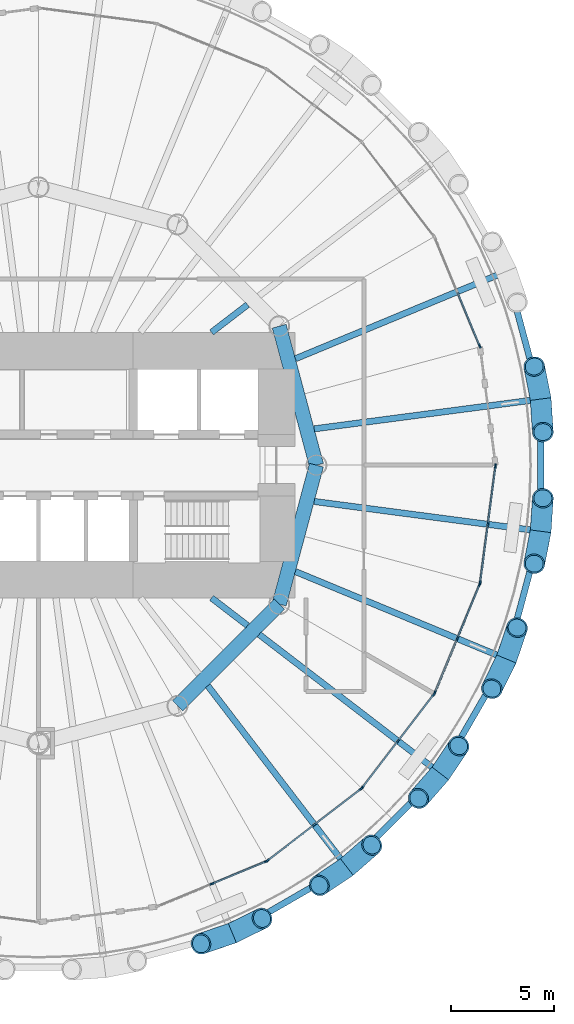
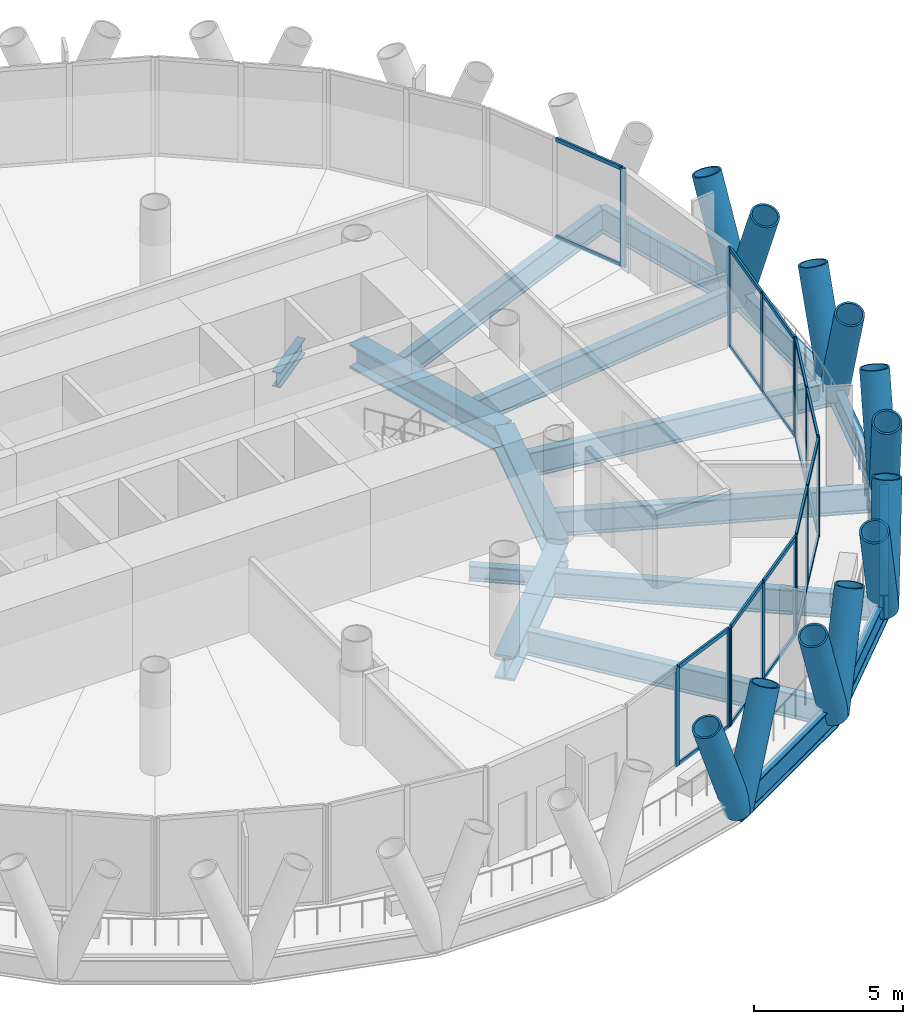
# One storey, part 4 of 14: 47 members, 17 beams, 6 elements without a shape of their own.
"""IFC4 building model written with IfcOpenShell, lengths in metres."""

from ifc_helpers import new_model, si_unit, direction, frame, origin, origin_2d, place, context, subcontext, project, spatial, rectangle, hollow_circle, i_section, extrude, material, material_profile, profile_set, type_object, element, aggregate, save


model = new_model("IFC4")

# Units and contexts
model_context = context("Model", 3, precision=1e-05, world=origin(), true_north=direction((0.0, 1.0)))
body_context = subcontext(model_context, "Body", "Model", "MODEL_VIEW")
ifc_project = project(units=[si_unit("LENGTHUNIT", "METRE"), si_unit("AREAUNIT", "SQUARE_METRE"), si_unit("VOLUMEUNIT", "CUBIC_METRE"), si_unit("PLANEANGLEUNIT", "RADIAN"), si_unit("MASSUNIT", "GRAM", prefix="KILO")], contexts=[model_context])

# Site, building, storey
site_placement = place(None, origin())
site = spatial("IfcSite", under=ifc_project, at=site_placement, CompositionType="ELEMENT")
building_placement = place(site_placement, origin())
building = spatial("IfcBuilding", under=site, at=building_placement, Name="Qaws Media Tower", CompositionType="ELEMENT")
storey_placement = place(building_placement, frame((0.0, 0.0, 168.800048828125)))
storey = spatial("IfcBuildingStorey", under=building, at=storey_placement, Name="L38", CompositionType="ELEMENT", Elevation=168.800048828125)

# Curtain wall, member
ifc_material_1 = material(Name="Aluminium and clear glass", Category="aluminium")
curtain_wall_type = type_object("IfcCurtainWallType", Name="Unitised curtain wall CW-B", PredefinedType="NOTDEFINED", material=ifc_material_1)
curtain_wall_1_placement = place(storey_placement, origin())
curtain_wall_1 = element("IfcCurtainWall", 1, at=curtain_wall_1_placement, inside=storey, type_object=curtain_wall_type, Name="CWB curtain wall L38-02", PredefinedType="NOTDEFINED")
ifc_material_2 = material(Name="Aluminium mullion", Category="aluminium")
ifc_material_profile_1 = material_profile(ifc_material_2, rectangle(XDim=0.080078125, YDim=0.199951171875, at=origin_2d()), Name="80x200")
ifc_profile_set_1 = profile_set([ifc_material_profile_1], Name="Aluminium mullion")
member_type_1 = type_object("IfcMemberType", Name="Curtain wall mullion 80x200", PredefinedType="MULLION", material=ifc_profile_set_1)
member_1_placement = place(storey_placement, frame((81.42822265625, 55.78271484375, 0.0), z_axis=(0.0, 0.0, 1.0), x_axis=(-0.923879550645, -0.382683388586, 0.0)))
member_1 = element("IfcMember", 2, at=member_1_placement, type_object=member_type_1, Name="CWB mullion 1", PredefinedType="MULLION", context=body_context, shape_type="SweptSolid", body=[
    extrude(rectangle(XDim=0.080078125, YDim=0.199951171875, at=origin_2d()), origin(), (0.0, 0.0, 1.0), 4.0400390625),
])

# Curtain wall, members
curtain_wall_2_placement = place(storey_placement, origin())
curtain_wall_2 = element("IfcCurtainWall", 3, at=curtain_wall_2_placement, inside=storey, type_object=curtain_wall_type, Name="CWB curtain wall L38-20", PredefinedType="NOTDEFINED")
member_2_placement = place(storey_placement, frame((68.4228515625, 29.665283203125, 0.0), z_axis=(0.0, 0.0, 1.0), x_axis=(-0.382683388586, 0.923879550645, 0.0)))
member_2 = element("IfcMember", 4, at=member_2_placement, type_object=member_type_1, Name="CWB mullion 2", PredefinedType="MULLION", context=body_context, shape_type="SweptSolid", body=[
    extrude(rectangle(XDim=0.080078125, YDim=0.199951171875, at=origin_2d()), origin(), (0.0, 0.0, 1.0), 4.0400390625),
])
member_3_placement = place(storey_placement, frame((71.06298828125, 30.759033203125, 0.0), z_axis=(0.0, 0.0, 1.0), x_axis=(-0.382683388586, 0.923879550645, 0.0)))
member_3 = element("IfcMember", 5, at=member_3_placement, type_object=member_type_1, Name="CWB mullion 3", PredefinedType="MULLION", context=body_context, shape_type="SweptSolid", body=[
    extrude(rectangle(XDim=0.080078125, YDim=0.199951171875, at=origin_2d()), origin(), (0.0, 0.0, 1.0), 4.0400390625),
])

curtain_wall_3_placement = place(storey_placement, origin())
curtain_wall_3 = element("IfcCurtainWall", 6, at=curtain_wall_3_placement, inside=storey, type_object=curtain_wall_type, Name="CWB curtain wall L38-21", PredefinedType="NOTDEFINED")
member_4_placement = place(storey_placement, frame((71.1318359375, 30.798583984375, 0.0), z_axis=(0.0, 0.0, 1.0), x_axis=(-0.60876134507, 0.793353404699, 0.0)))
member_4 = element("IfcMember", 7, at=member_4_placement, type_object=member_type_1, Name="CWB mullion 1", PredefinedType="MULLION", context=body_context, shape_type="SweptSolid", body=[
    extrude(rectangle(XDim=0.080078125, YDim=0.199951171875, at=origin_2d()), origin(), (0.0, 0.0, 1.0), 4.0400390625),
])
member_5_placement = place(storey_placement, frame((73.39892578125, 32.538330078125, 0.0), z_axis=(0.0, 0.0, 1.0), x_axis=(-0.60876134507, 0.793353404699, 0.0)))
member_5 = element("IfcMember", 8, at=member_5_placement, type_object=member_type_1, Name="CWB mullion 2", PredefinedType="MULLION", context=body_context, shape_type="SweptSolid", body=[
    extrude(rectangle(XDim=0.080078125, YDim=0.199951171875, at=origin_2d()), origin(), (0.0, 0.0, 1.0), 4.0400390625),
])
member_6_placement = place(storey_placement, frame((75.666015625, 34.27783203125, 0.0), z_axis=(0.0, 0.0, 1.0), x_axis=(-0.60876134507, 0.793353404699, 0.0)))
member_6 = element("IfcMember", 9, at=member_6_placement, type_object=member_type_1, Name="CWB mullion 3", PredefinedType="MULLION", context=body_context, shape_type="SweptSolid", body=[
    extrude(rectangle(XDim=0.080078125, YDim=0.199951171875, at=origin_2d()), origin(), (0.0, 0.0, 1.0), 4.0400390625),
])

curtain_wall_4_placement = place(storey_placement, origin())
curtain_wall_4 = element("IfcCurtainWall", 10, at=curtain_wall_4_placement, inside=storey, type_object=curtain_wall_type, Name="CWB curtain wall L38-22", PredefinedType="NOTDEFINED")
member_7_placement = place(storey_placement, frame((75.72216796875, 34.333984375, 0.0), z_axis=(0.0, 0.0, 1.0), x_axis=(-0.793353404699, 0.60876134507, 0.0)))
member_7 = element("IfcMember", 11, at=member_7_placement, type_object=member_type_1, Name="CWB mullion 1", PredefinedType="MULLION", context=body_context, shape_type="SweptSolid", body=[
    extrude(rectangle(XDim=0.080078125, YDim=0.199951171875, at=origin_2d()), origin(), (0.0, 0.0, 1.0), 4.0400390625),
])
member_8_placement = place(storey_placement, frame((77.461669921875, 36.60107421875, 0.0), z_axis=(0.0, 0.0, 1.0), x_axis=(-0.793353404699, 0.60876134507, 0.0)))
member_8 = element("IfcMember", 12, at=member_8_placement, type_object=member_type_1, Name="CWB mullion 2", PredefinedType="MULLION", context=body_context, shape_type="SweptSolid", body=[
    extrude(rectangle(XDim=0.080078125, YDim=0.199951171875, at=origin_2d()), origin(), (0.0, 0.0, 1.0), 4.0400390625),
])
member_9_placement = place(storey_placement, frame((79.201416015625, 38.8681640625, 0.0), z_axis=(0.0, 0.0, 1.0), x_axis=(-0.793353404699, 0.60876134507, 0.0)))
member_9 = element("IfcMember", 13, at=member_9_placement, type_object=member_type_1, Name="CWB mullion 3", PredefinedType="MULLION", context=body_context, shape_type="SweptSolid", body=[
    extrude(rectangle(XDim=0.080078125, YDim=0.199951171875, at=origin_2d()), origin(), (0.0, 0.0, 1.0), 4.0400390625),
])

curtain_wall_5_placement = place(storey_placement, origin())
curtain_wall_5 = element("IfcCurtainWall", 14, at=curtain_wall_5_placement, inside=storey, type_object=curtain_wall_type, Name="CWB curtain wall L38-23", PredefinedType="NOTDEFINED")
member_10_placement = place(storey_placement, frame((79.240966796875, 38.93701171875, 0.0), z_axis=(0.0, 0.0, 1.0), x_axis=(-0.923879550645, 0.382683388586, 0.0)))
member_10 = element("IfcMember", 15, at=member_10_placement, type_object=member_type_1, Name="CWB mullion 1", PredefinedType="MULLION", context=body_context, shape_type="SweptSolid", body=[
    extrude(rectangle(XDim=0.080078125, YDim=0.199951171875, at=origin_2d()), origin(), (0.0, 0.0, 1.0), 4.0400390625),
])
member_11_placement = place(storey_placement, frame((80.334716796875, 41.5771484375, 0.0), z_axis=(0.0, 0.0, 1.0), x_axis=(-0.923879550645, 0.382683388586, 0.0)))
member_11 = element("IfcMember", 16, at=member_11_placement, type_object=member_type_1, Name="CWB mullion 2", PredefinedType="MULLION", context=body_context, shape_type="SweptSolid", body=[
    extrude(rectangle(XDim=0.080078125, YDim=0.199951171875, at=origin_2d()), origin(), (0.0, 0.0, 1.0), 4.0400390625),
])
member_12_placement = place(storey_placement, frame((81.42822265625, 44.21728515625, 0.0), z_axis=(0.0, 0.0, 1.0), x_axis=(-0.923879550645, 0.382683388586, 0.0)))
member_12 = element("IfcMember", 17, at=member_12_placement, type_object=member_type_1, Name="CWB mullion 3", PredefinedType="MULLION", context=body_context, shape_type="SweptSolid", body=[
    extrude(rectangle(XDim=0.080078125, YDim=0.199951171875, at=origin_2d()), origin(), (0.0, 0.0, 1.0), 4.0400390625),
])

curtain_wall_6_placement = place(storey_placement, origin())
curtain_wall_6 = element("IfcCurtainWall", 18, at=curtain_wall_6_placement, inside=storey, type_object=curtain_wall_type, Name="CWB curtain wall L38-24", PredefinedType="NOTDEFINED")
member_13_placement = place(storey_placement, frame((81.44873046875, 44.2939453125, 0.0), z_axis=(0.0, 0.0, 1.0), x_axis=(-0.991444854284, 0.13052624607, 0.0)))
member_13 = element("IfcMember", 19, at=member_13_placement, type_object=member_type_1, Name="CWB mullion 1", PredefinedType="MULLION", context=body_context, shape_type="SweptSolid", body=[
    extrude(rectangle(XDim=0.080078125, YDim=0.199951171875, at=origin_2d()), origin(), (0.0, 0.0, 1.0), 4.0400390625),
])
member_14_placement = place(storey_placement, frame((81.82177734375, 47.127197265625, 0.0), z_axis=(0.0, 0.0, 1.0), x_axis=(-0.991444854284, 0.13052624607, 0.0)))
member_14 = element("IfcMember", 20, at=member_14_placement, type_object=member_type_1, Name="CWB mullion 2", PredefinedType="MULLION", context=body_context, shape_type="SweptSolid", body=[
    extrude(rectangle(XDim=0.080078125, YDim=0.199951171875, at=origin_2d()), origin(), (0.0, 0.0, 1.0), 4.0400390625),
])
member_15_placement = place(storey_placement, frame((82.19482421875, 49.96044921875, 0.0), z_axis=(0.0, 0.0, 1.0), x_axis=(-0.991444854284, 0.13052624607, 0.0)))
member_15 = element("IfcMember", 21, at=member_15_placement, type_object=member_type_1, Name="CWB mullion 3", PredefinedType="MULLION", context=body_context, shape_type="SweptSolid", body=[
    extrude(rectangle(XDim=0.080078125, YDim=0.199951171875, at=origin_2d()), origin(), (0.0, 0.0, 1.0), 4.0400390625),
])

# Member
ifc_material_3 = material(Name="Aluminium transom", Category="aluminium")
ifc_material_profile_2 = material_profile(ifc_material_3, rectangle(XDim=0.080078125, YDim=0.159912109375, at=origin_2d()), Name="80x160")
ifc_profile_set_2 = profile_set([ifc_material_profile_2], Name="Aluminium transom")
member_type_2 = type_object("IfcMemberType", Name="Curtain wall transom 80x160", PredefinedType="USERDEFINED", material=ifc_profile_set_2)
member_16_placement = place(storey_placement, frame((81.412841796875, 55.819580078125, 0.0400390625), z_axis=(-0.382667455962, 0.923886149992, 0.0), x_axis=(-0.923886149992, -0.382667455962, 0.0)))
member_16 = element("IfcMember", 22, at=member_16_placement, type_object=member_type_2, Name="CWB transom 1.1", ObjectType="TRANSOM", PredefinedType="USERDEFINED", context=body_context, shape_type="SweptSolid", body=[
    extrude(rectangle(XDim=0.080078125, YDim=0.159912109375, at=origin_2d()), origin(), (0.0, 0.0, 1.0), 2.77783203125),
])

member_17_placement = place(storey_placement, frame((81.412841796875, 55.819580078125, 4.0), z_axis=(-0.382667455962, 0.923886149992, 0.0), x_axis=(-0.923886149992, -0.382667455962, 0.0)))
member_17 = element("IfcMember", 23, at=member_17_placement, type_object=member_type_2, Name="CWB transom 1.2", ObjectType="TRANSOM", PredefinedType="USERDEFINED", context=body_context, shape_type="SweptSolid", body=[
    extrude(rectangle(XDim=0.080078125, YDim=0.159912109375, at=origin_2d()), origin(), (0.0, 0.0, 1.0), 2.77783203125),
])

aggregate(curtain_wall_1, [member_1, member_16, member_17])

member_18_placement = place(storey_placement, frame((68.4599609375, 29.6806640625, 0.0400390625), z_axis=(0.923873278495, 0.382698530546, 0.0), x_axis=(-0.382698530546, 0.923873278495, 0.0)))
member_18 = element("IfcMember", 24, at=member_18_placement, type_object=member_type_2, Name="CWB transom 2.1", ObjectType="TRANSOM", PredefinedType="USERDEFINED", context=body_context, shape_type="SweptSolid", body=[
    extrude(rectangle(XDim=0.080078125, YDim=0.159912109375, at=origin_2d()), origin(), (0.0, 0.0, 1.0), 2.777587890625),
])

member_19_placement = place(storey_placement, frame((68.4599609375, 29.6806640625, 4.0), z_axis=(0.923873278495, 0.382698530546, 0.0), x_axis=(-0.382698530546, 0.923873278495, 0.0)))
member_19 = element("IfcMember", 25, at=member_19_placement, type_object=member_type_2, Name="CWB transom 2.2", ObjectType="TRANSOM", PredefinedType="USERDEFINED", context=body_context, shape_type="SweptSolid", body=[
    extrude(rectangle(XDim=0.080078125, YDim=0.159912109375, at=origin_2d()), origin(), (0.0, 0.0, 1.0), 2.777587890625),
])

aggregate(curtain_wall_2, [member_2, member_3, member_18, member_19])

member_20_placement = place(storey_placement, frame((71.16357421875, 30.822998046875, 0.0400390625), z_axis=(0.793348814772, 0.608767326735, 0.0), x_axis=(-0.608767326735, 0.793348814772, 0.0)))
member_20 = element("IfcMember", 26, at=member_20_placement, type_object=member_type_2, Name="CWB transom 1.1", ObjectType="TRANSOM", PredefinedType="USERDEFINED", context=body_context, shape_type="SweptSolid", body=[
    extrude(rectangle(XDim=0.080078125, YDim=0.159912109375, at=origin_2d()), origin(), (0.0, 0.0, 1.0), 2.777587890625),
])

member_21_placement = place(storey_placement, frame((71.16357421875, 30.822998046875, 4.0), z_axis=(0.793348814772, 0.608767326735, 0.0), x_axis=(-0.608767326735, 0.793348814772, 0.0)))
member_21 = element("IfcMember", 27, at=member_21_placement, type_object=member_type_2, Name="CWB transom 1.2", ObjectType="TRANSOM", PredefinedType="USERDEFINED", context=body_context, shape_type="SweptSolid", body=[
    extrude(rectangle(XDim=0.080078125, YDim=0.159912109375, at=origin_2d()), origin(), (0.0, 0.0, 1.0), 2.777587890625),
])

member_22_placement = place(storey_placement, frame((73.4306640625, 32.5625, 0.0400390625), z_axis=(0.793348814772, 0.608767326735, 0.0), x_axis=(-0.608767326735, 0.793348814772, 0.0)))
member_22 = element("IfcMember", 28, at=member_22_placement, type_object=member_type_2, Name="CWB transom 2.1", ObjectType="TRANSOM", PredefinedType="USERDEFINED", context=body_context, shape_type="SweptSolid", body=[
    extrude(rectangle(XDim=0.080078125, YDim=0.159912109375, at=origin_2d()), origin(), (0.0, 0.0, 1.0), 2.777587890625),
])

member_23_placement = place(storey_placement, frame((73.4306640625, 32.5625, 4.0), z_axis=(0.793348814772, 0.608767326735, 0.0), x_axis=(-0.608767326735, 0.793348814772, 0.0)))
member_23 = element("IfcMember", 29, at=member_23_placement, type_object=member_type_2, Name="CWB transom 2.2", ObjectType="TRANSOM", PredefinedType="USERDEFINED", context=body_context, shape_type="SweptSolid", body=[
    extrude(rectangle(XDim=0.080078125, YDim=0.159912109375, at=origin_2d()), origin(), (0.0, 0.0, 1.0), 2.777587890625),
])

aggregate(curtain_wall_3, [member_4, member_5, member_6, member_20, member_21, member_22, member_23])

member_24_placement = place(storey_placement, frame((75.74658203125, 34.36572265625, 0.0400390625), z_axis=(0.608767326735, 0.793348814772, 0.0), x_axis=(-0.793348814772, 0.608767326735, 0.0)))
member_24 = element("IfcMember", 30, at=member_24_placement, type_object=member_type_2, Name="CWB transom 1.1", ObjectType="TRANSOM", PredefinedType="USERDEFINED", context=body_context, shape_type="SweptSolid", body=[
    extrude(rectangle(XDim=0.080078125, YDim=0.159912109375, at=origin_2d()), origin(), (0.0, 0.0, 1.0), 2.777587890625),
])

member_25_placement = place(storey_placement, frame((75.74658203125, 34.36572265625, 4.0), z_axis=(0.608767326735, 0.793348814772, 0.0), x_axis=(-0.793348814772, 0.608767326735, 0.0)))
member_25 = element("IfcMember", 31, at=member_25_placement, type_object=member_type_2, Name="CWB transom 1.2", ObjectType="TRANSOM", PredefinedType="USERDEFINED", context=body_context, shape_type="SweptSolid", body=[
    extrude(rectangle(XDim=0.080078125, YDim=0.159912109375, at=origin_2d()), origin(), (0.0, 0.0, 1.0), 2.777587890625),
])

member_26_placement = place(storey_placement, frame((77.486083984375, 36.6328125, 0.0400390625), z_axis=(0.608767326735, 0.793348814772, 0.0), x_axis=(-0.793348814772, 0.608767326735, 0.0)))
member_26 = element("IfcMember", 32, at=member_26_placement, type_object=member_type_2, Name="CWB transom 2.1", ObjectType="TRANSOM", PredefinedType="USERDEFINED", context=body_context, shape_type="SweptSolid", body=[
    extrude(rectangle(XDim=0.080078125, YDim=0.159912109375, at=origin_2d()), origin(), (0.0, 0.0, 1.0), 2.777587890625),
])

member_27_placement = place(storey_placement, frame((77.486083984375, 36.6328125, 4.0), z_axis=(0.608767326735, 0.793348814772, 0.0), x_axis=(-0.793348814772, 0.608767326735, 0.0)))
member_27 = element("IfcMember", 33, at=member_27_placement, type_object=member_type_2, Name="CWB transom 2.2", ObjectType="TRANSOM", PredefinedType="USERDEFINED", context=body_context, shape_type="SweptSolid", body=[
    extrude(rectangle(XDim=0.080078125, YDim=0.159912109375, at=origin_2d()), origin(), (0.0, 0.0, 1.0), 2.777587890625),
])

aggregate(curtain_wall_4, [member_7, member_8, member_9, member_24, member_25, member_26, member_27])

member_28_placement = place(storey_placement, frame((79.25634765625, 38.973876953125, 0.0400390625), z_axis=(0.382698530546, 0.923873278495, 0.0), x_axis=(-0.923873278495, 0.382698530546, 0.0)))
member_28 = element("IfcMember", 34, at=member_28_placement, type_object=member_type_2, Name="CWB transom 1.1", ObjectType="TRANSOM", PredefinedType="USERDEFINED", context=body_context, shape_type="SweptSolid", body=[
    extrude(rectangle(XDim=0.080078125, YDim=0.159912109375, at=origin_2d()), origin(), (0.0, 0.0, 1.0), 2.777587890625),
])

member_29_placement = place(storey_placement, frame((79.25634765625, 38.973876953125, 4.0), z_axis=(0.382698530546, 0.923873278495, 0.0), x_axis=(-0.923873278495, 0.382698530546, 0.0)))
member_29 = element("IfcMember", 35, at=member_29_placement, type_object=member_type_2, Name="CWB transom 1.2", ObjectType="TRANSOM", PredefinedType="USERDEFINED", context=body_context, shape_type="SweptSolid", body=[
    extrude(rectangle(XDim=0.080078125, YDim=0.159912109375, at=origin_2d()), origin(), (0.0, 0.0, 1.0), 2.777587890625),
])

member_30_placement = place(storey_placement, frame((80.349853515625, 41.614013671875, 0.0400390625), z_axis=(0.382667455962, 0.923886149992, 0.0), x_axis=(-0.923886149992, 0.382667455962, 0.0)))
member_30 = element("IfcMember", 36, at=member_30_placement, type_object=member_type_2, Name="CWB transom 2.1", ObjectType="TRANSOM", PredefinedType="USERDEFINED", context=body_context, shape_type="SweptSolid", body=[
    extrude(rectangle(XDim=0.080078125, YDim=0.159912109375, at=origin_2d()), origin(), (0.0, 0.0, 1.0), 2.77783203125),
])

member_31_placement = place(storey_placement, frame((80.349853515625, 41.614013671875, 4.0), z_axis=(0.382667455962, 0.923886149992, 0.0), x_axis=(-0.923886149992, 0.382667455962, 0.0)))
member_31 = element("IfcMember", 37, at=member_31_placement, type_object=member_type_2, Name="CWB transom 2.2", ObjectType="TRANSOM", PredefinedType="USERDEFINED", context=body_context, shape_type="SweptSolid", body=[
    extrude(rectangle(XDim=0.080078125, YDim=0.159912109375, at=origin_2d()), origin(), (0.0, 0.0, 1.0), 2.77783203125),
])

aggregate(curtain_wall_5, [member_10, member_11, member_12, member_28, member_29, member_30, member_31])

member_32_placement = place(storey_placement, frame((81.4541015625, 44.33349609375, 0.0400390625), z_axis=(0.130522721426, 0.991445318306, 0.0), x_axis=(-0.991445318306, 0.130522721426, 0.0)))
member_32 = element("IfcMember", 38, at=member_32_placement, type_object=member_type_2, Name="CWB transom 1.1", ObjectType="TRANSOM", PredefinedType="USERDEFINED", context=body_context, shape_type="SweptSolid", body=[
    extrude(rectangle(XDim=0.080078125, YDim=0.159912109375, at=origin_2d()), origin(), (0.0, 0.0, 1.0), 2.777587890625),
])

member_33_placement = place(storey_placement, frame((81.4541015625, 44.33349609375, 4.0), z_axis=(0.130522721426, 0.991445318306, 0.0), x_axis=(-0.991445318306, 0.130522721426, 0.0)))
member_33 = element("IfcMember", 39, at=member_33_placement, type_object=member_type_2, Name="CWB transom 1.2", ObjectType="TRANSOM", PredefinedType="USERDEFINED", context=body_context, shape_type="SweptSolid", body=[
    extrude(rectangle(XDim=0.080078125, YDim=0.159912109375, at=origin_2d()), origin(), (0.0, 0.0, 1.0), 2.777587890625),
])

member_34_placement = place(storey_placement, frame((81.826904296875, 47.166748046875, 0.0400390625), z_axis=(0.130522721426, 0.991445318306, 0.0), x_axis=(-0.991445318306, 0.130522721426, 0.0)))
member_34 = element("IfcMember", 40, at=member_34_placement, type_object=member_type_2, Name="CWB transom 2.1", ObjectType="TRANSOM", PredefinedType="USERDEFINED", context=body_context, shape_type="SweptSolid", body=[
    extrude(rectangle(XDim=0.080078125, YDim=0.159912109375, at=origin_2d()), origin(), (0.0, 0.0, 1.0), 2.777587890625),
])

member_35_placement = place(storey_placement, frame((81.826904296875, 47.166748046875, 4.0), z_axis=(0.130522721426, 0.991445318306, 0.0), x_axis=(-0.991445318306, 0.130522721426, 0.0)))
member_35 = element("IfcMember", 41, at=member_35_placement, type_object=member_type_2, Name="CWB transom 2.2", ObjectType="TRANSOM", PredefinedType="USERDEFINED", context=body_context, shape_type="SweptSolid", body=[
    extrude(rectangle(XDim=0.080078125, YDim=0.159912109375, at=origin_2d()), origin(), (0.0, 0.0, 1.0), 2.777587890625),
])

aggregate(curtain_wall_6, [member_13, member_14, member_15, member_32, member_33, member_34, member_35])

# Members
ifc_material_4 = material(Name="Steel S460", Category="steel")
ifc_material_profile_3 = material_profile(ifc_material_4, hollow_circle(Radius=0.508056640625, WallThickness=0.070068359375, at=origin_2d()), Name="CHS 1016x70")
ifc_profile_set_3 = profile_set([ifc_material_profile_3], Name="Steel S460")
member_type_3 = type_object("IfcMemberType", Name="Diagrid member CHS 1016x70", PredefinedType="USERDEFINED", material=ifc_profile_set_3)
for number, where, z_axis, x_axis, name in (
    (42, (84.3896484375, 53.2109375, -0.6640625), (-0.06920992015, 0.350989289166, 0.933818240261), (-0.981108147358, -0.19346008164, 0.0), "DG3 diagrid L38 A01"),
    (43, (84.3896484375, 53.2109375, -0.6640625), (0.023993083106, -0.356910681943, 0.933830336345), (0.997748074079, 0.067072950379, 0.0), "DG3 diagrid L38 B01"),
    (44, (69.4140625, 27.2724609375, -0.6640625), (0.321083782797, 0.157692035338, 0.933829977253), (-0.440828812934, 0.897591197421, 0.0), "DG3 diagrid L38 A20"),
    (45, (69.4140625, 27.2724609375, -0.6640625), (-0.338561751209, -0.115513773701, 0.93382680873), (0.322911821163, -0.946429054791, 0.0), "DG3 diagrid L38 B20"),
    (46, (74.9755859375, 30.4833984375, -0.6640625), (0.269350219792, 0.235423600007, 0.933823424239), (-0.658096290163, 0.752933777217, 0.0), "DG3 diagrid L38 A21"),
    (47, (74.9755859375, 30.4833984375, -0.6640625), (-0.297141784694, -0.19921635912, 0.933819898079), (0.556869292922, -0.830600138816, 0.0), "DG3 diagrid L38 B21"),
    (48, (79.5166015625, 35.0244140625, -0.6640625), (0.19921635912, 0.297141784694, 0.933819898079), (-0.830600138816, 0.556869292922, 0.0), "DG3 diagrid L38 A22"),
    (49, (79.5166015625, 35.0244140625, -0.6640625), (-0.235423600007, -0.269350219792, 0.933823424239), (0.752933777217, -0.658096290163, 0.0), "DG3 diagrid L38 B22"),
    (50, (82.7275390625, 40.5859375, -0.6640625), (0.115513773701, 0.338561751209, 0.93382680873), (-0.946429054791, 0.322911821163, 0.0), "DG3 diagrid L38 A23"),
    (51, (82.7275390625, 40.5859375, -0.6640625), (-0.157692035338, -0.321083782797, 0.933829977253), (0.897591197421, -0.440828812934, 0.0), "DG3 diagrid L38 B23"),
    (52, (84.3896484375, 46.7890625, -0.6640625), (0.023993083106, 0.356910681943, 0.933830336345), (-0.997748074079, 0.067072950379, 0.0), "DG3 diagrid L38 A24"),
    (53, (84.3896484375, 46.7890625, -0.6640625), (-0.06920992015, -0.350989289166, 0.933818240261), (0.981108147358, -0.19346008164, 0.0), "DG3 diagrid L38 B24"),
):
    element("IfcMember", number, at=place(storey_placement, frame(where, z_axis=z_axis, x_axis=x_axis)), inside=storey, type_object=member_type_3, Name=name, ObjectType="DIAGRID", PredefinedType="USERDEFINED", context=body_context, shape_type="SweptSolid", body=[
        extrude(hollow_circle(Radius=0.508056640625, WallThickness=0.070068359375, at=origin_2d()), origin(), (0.0, 0.0, 1.0), 4.49755859375),
    ])

# Beams
ifc_material_5 = material(Name="Steel S460", Category="steel")
ifc_material_profile_4 = material_profile(ifc_material_5, i_section(OverallWidth=0.302001953125, OverallDepth=1.008056640625, WebThickness=0.02099609375, FlangeThickness=0.0400390625, FilletRadius=0.030029296875, at=origin_2d()), Name="HE 1000 M")
ifc_profile_set_4 = profile_set([ifc_material_profile_4], Name="Steel S460")
beam_type_1 = type_object("IfcBeamType", Name="Edge ring beam HE 1000 M", PredefinedType="BEAM", material=ifc_profile_set_4)
for number, where, z_axis, x_axis, name in (
    (54, (84.3896484375, 53.2109375, -0.6640625), (-0.258817162309, 0.96592633078, 0.0), (-0.96592633078, -0.258817162309, 0.0), "RB3 edge ring beam L38-01"),
    (55, (69.4140625, 27.2724609375, -0.6640625), (0.86602604797, 0.499998884236, 0.0), (-0.499998884236, 0.86602604797, 0.0), "RB3 edge ring beam L38-20"),
    (56, (74.9755859375, 30.4833984375, -0.6640625), (0.707106781187, 0.707106781187, 0.0), (-0.707106781187, 0.707106781187, 0.0), "RB3 edge ring beam L38-21"),
    (57, (79.5166015625, 35.0244140625, -0.6640625), (0.499998884236, 0.86602604797, 0.0), (-0.86602604797, 0.499998884236, 0.0), "RB3 edge ring beam L38-22"),
    (58, (82.7275390625, 40.5859375, -0.6640625), (0.258817162309, 0.96592633078, 0.0), (-0.96592633078, 0.258817162309, 0.0), "RB3 edge ring beam L38-23"),
    (59, (84.3896484375, 46.7890625, -0.6640625), (0.0, 1.0, 0.0), (-1.0, 0.0, 0.0), "RB3 edge ring beam L38-24"),
):
    element("IfcBeam", number, at=place(storey_placement, frame(where, z_axis=z_axis, x_axis=x_axis)), inside=storey, type_object=beam_type_1, Name=name, PredefinedType="BEAM", context=body_context, shape_type="SweptSolid", body=[
        extrude(i_section(OverallWidth=0.302001953125, OverallDepth=1.008056640625, WebThickness=0.02099609375, FlangeThickness=0.0400390625, FilletRadius=0.030029296875, at=origin_2d()), origin(), (0.0, 0.0, 1.0), 6.421875),
    ])
ifc_material_6 = material(Name="Steel S460", Category="steel")
ifc_material_profile_5 = material_profile(ifc_material_6, i_section(OverallWidth=0.699951171875, OverallDepth=1.0, WebThickness=0.034912109375, FlangeThickness=0.090087890625, at=origin_2d()), Name="PG 1000x700")
ifc_profile_set_5 = profile_set([ifc_material_profile_5], Name="Steel S460")
beam_type_2 = type_object("IfcBeamType", Name="Inner ring girder PG 1000x700", PredefinedType="BEAM", material=ifc_profile_set_5)
beam_1_placement = place(storey_placement, frame((73.5, 50.0, -0.66015625), z_axis=(-0.258810593767, 0.965928090778, 0.0), x_axis=(-0.965928090778, -0.258810593767, 0.0)))
element("IfcBeam", 60, at=beam_1_placement, inside=storey, type_object=beam_type_2, Name="B3 inner ring beam L38 I01-I02", PredefinedType="BEAM", context=body_context, shape_type="SweptSolid", body=[
    extrude(i_section(OverallWidth=0.699951171875, OverallDepth=1.0, WebThickness=0.034912109375, FlangeThickness=0.090087890625, at=origin_2d()), origin(), (0.0, 0.0, 1.0), 6.988037109375),
])
beam_2_placement = place(storey_placement, frame((66.75, 38.30859375, -0.66015625), z_axis=(0.707106781187, 0.707106781187, 0.0), x_axis=(-0.707106781187, 0.707106781187, 0.0)))
element("IfcBeam", 61, at=beam_2_placement, inside=storey, type_object=beam_type_2, Name="B3 inner ring beam L38 I11-I12", PredefinedType="BEAM", context=body_context, shape_type="SweptSolid", body=[
    extrude(i_section(OverallWidth=0.699951171875, OverallDepth=1.0, WebThickness=0.034912109375, FlangeThickness=0.090087890625, at=origin_2d()), origin(), (0.0, 0.0, 1.0), 6.98828125),
])
beam_3_placement = place(storey_placement, frame((71.69140625, 43.25, -0.66015625), z_axis=(0.258810593767, 0.965928090778, 0.0), x_axis=(-0.965928090778, 0.258810593767, 0.0)))
element("IfcBeam", 62, at=beam_3_placement, inside=storey, type_object=beam_type_2, Name="B3 inner ring beam L38 I12-I01", PredefinedType="BEAM", context=body_context, shape_type="SweptSolid", body=[
    extrude(i_section(OverallWidth=0.699951171875, OverallDepth=1.0, WebThickness=0.034912109375, FlangeThickness=0.090087890625, at=origin_2d()), origin(), (0.0, 0.0, 1.0), 6.988037109375),
])
ifc_material_7 = material(Name="Steel S355", Category="steel")
ifc_material_profile_6 = material_profile(ifc_material_7, i_section(OverallWidth=0.302001953125, OverallDepth=1.008056640625, WebThickness=0.02099609375, FlangeThickness=0.0400390625, FilletRadius=0.030029296875, at=origin_2d()), Name="HE 1000 M")
ifc_profile_set_6 = profile_set([ifc_material_profile_6], Name="Steel S355")
beam_type_3 = type_object("IfcBeamType", Name="Radial beam HE 1000 M", PredefinedType="BEAM", material=ifc_profile_set_6)
beam_4_placement = place(storey_placement, frame((73.389892578125, 51.762939453125, -0.6640625), z_axis=(0.991446579238, 0.13051314308, 0.0), x_axis=(-0.13051314308, 0.991446579238, 0.0)))
element("IfcBeam", 63, at=beam_4_placement, inside=storey, type_object=beam_type_3, Name="B1 radial beam L38 01", PredefinedType="BEAM", context=body_context, shape_type="SweptSolid", body=[
    extrude(i_section(OverallWidth=0.302001953125, OverallDepth=1.008056640625, WebThickness=0.02099609375, FlangeThickness=0.0400390625, FilletRadius=0.030029296875, at=origin_2d()), origin(), (0.0, 0.0, 1.0), 11.0947265625),
])
beam_5_placement = place(storey_placement, frame((72.4775390625, 55.16845703125, -0.6640625), z_axis=(0.923882194876, 0.382677004785, 0.0), x_axis=(-0.382677004785, 0.923882194876, 0.0)))
element("IfcBeam", 64, at=beam_5_placement, inside=storey, type_object=beam_type_3, Name="B1 radial beam L38 02", PredefinedType="BEAM", context=body_context, shape_type="SweptSolid", body=[
    extrude(i_section(OverallWidth=0.302001953125, OverallDepth=1.008056640625, WebThickness=0.02099609375, FlangeThickness=0.0400390625, FilletRadius=0.030029296875, at=origin_2d()), origin(), (0.0, 0.0, 1.0), 11.094482421875),
])
for number, where, z_axis, x_axis, name in (
    (65, (68.2216796875, 39.285400390625, -0.6640625), (0.60875533625, -0.793358015392, 0.0), (0.793358015392, 0.60875533625, 0.0), "B1 radial beam L38 21"),
    (66, (70.714599609375, 41.7783203125, -0.6640625), (0.793358015392, -0.60875533625, 0.0), (0.60875533625, 0.793358015392, 0.0), "B1 radial beam L38 22"),
):
    element("IfcBeam", number, at=place(storey_placement, frame(where, z_axis=z_axis, x_axis=x_axis)), inside=storey, type_object=beam_type_3, Name=name, PredefinedType="BEAM", context=body_context, shape_type="SweptSolid", body=[
        extrude(i_section(OverallWidth=0.302001953125, OverallDepth=1.008056640625, WebThickness=0.02099609375, FlangeThickness=0.0400390625, FilletRadius=0.030029296875, at=origin_2d()), origin(), (0.0, 0.0, 1.0), 11.0947265625),
    ])
beam_6_placement = place(storey_placement, frame((72.4775390625, 44.83154296875, -0.6640625), z_axis=(0.923882194876, -0.382677004785, 0.0), x_axis=(0.382677004785, 0.923882194876, 0.0)))
element("IfcBeam", 67, at=beam_6_placement, inside=storey, type_object=beam_type_3, Name="B1 radial beam L38 23", PredefinedType="BEAM", context=body_context, shape_type="SweptSolid", body=[
    extrude(i_section(OverallWidth=0.302001953125, OverallDepth=1.008056640625, WebThickness=0.02099609375, FlangeThickness=0.0400390625, FilletRadius=0.030029296875, at=origin_2d()), origin(), (0.0, 0.0, 1.0), 11.094482421875),
])
beam_7_placement = place(storey_placement, frame((73.389892578125, 48.237060546875, -0.6640625), z_axis=(0.991446579238, -0.13051314308, 0.0), x_axis=(0.13051314308, 0.991446579238, 0.0)))
element("IfcBeam", 68, at=beam_7_placement, inside=storey, type_object=beam_type_3, Name="B1 radial beam L38 24", PredefinedType="BEAM", context=body_context, shape_type="SweptSolid", body=[
    extrude(i_section(OverallWidth=0.302001953125, OverallDepth=1.008056640625, WebThickness=0.02099609375, FlangeThickness=0.0400390625, FilletRadius=0.030029296875, at=origin_2d()), origin(), (0.0, 0.0, 1.0), 11.0947265625),
])
ifc_material_8 = material(Name="Steel S355", Category="steel")
ifc_material_profile_7 = material_profile(ifc_material_8, i_section(OverallWidth=0.304931640625, OverallDepth=0.6201171875, WebThickness=0.02099609375, FlangeThickness=0.0400390625, FilletRadius=0.027099609375, at=origin_2d()), Name="HE 600 M")
ifc_profile_set_7 = profile_set([ifc_material_profile_7], Name="Steel S355")
beam_type_4 = type_object("IfcBeamType", Name="Radial beam HE 600 M, core side", PredefinedType="BEAM", material=ifc_profile_set_7)
for number, where, z_axis, x_axis, name in (
    (69, (68.40576171875, 56.449951171875, -0.469970703125), (0.793372769304, 0.608736107789, 0.0), (-0.608736107789, 0.793372769304, 0.0), "B2 radial beam L38 03"),
    (70, (68.40576171875, 43.550048828125, -0.469970703125), (0.793372769304, -0.608736107789, 0.0), (0.608736107789, 0.793372769304, 0.0), "B2 radial beam L38 22"),
):
    element("IfcBeam", number, at=place(storey_placement, frame(where, z_axis=z_axis, x_axis=x_axis)), inside=storey, type_object=beam_type_4, Name=name, PredefinedType="BEAM", context=body_context, shape_type="SweptSolid", body=[
        extrude(i_section(OverallWidth=0.304931640625, OverallDepth=0.6201171875, WebThickness=0.02099609375, FlangeThickness=0.0400390625, FilletRadius=0.027099609375, at=origin_2d()), origin(), (0.0, 0.0, 1.0), 2.204345703125),
    ])

save(model, "model.ifc")
